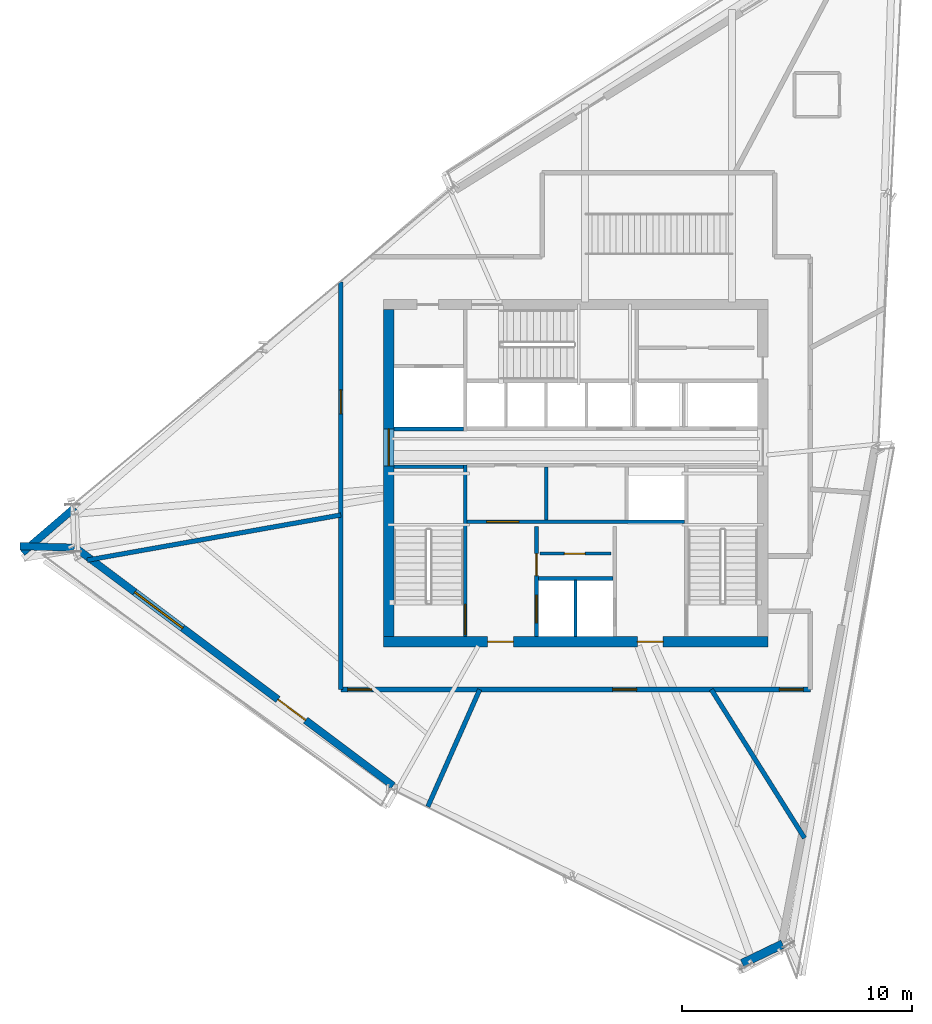
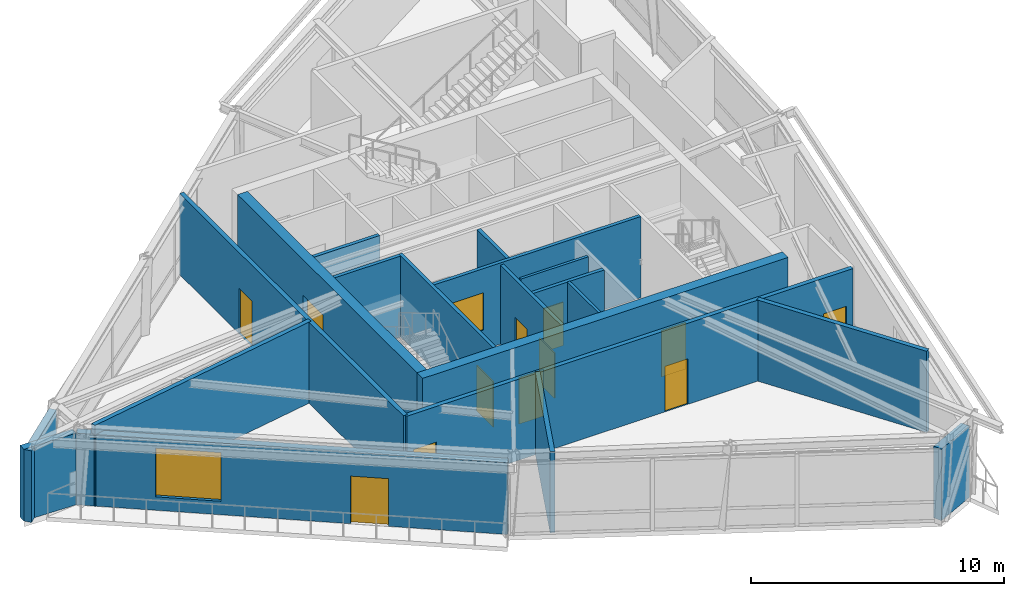
# One storey, part 16 of 21: 20 walls, 12 doors, 2 windows, 14 openings.
"""IFC4 building model written with IfcOpenShell, lengths in metres."""

from ifc_helpers import new_model, si_unit, direction, frame, frame_2d, origin, place, context, subcontext, project, spatial, rectangle, extrude, source, transform, mapped, material, layer, layer_set, type_object, type_shapes, element, fill, save


model = new_model("IFC4")

# Units and contexts
model_context = context("Model", 3, precision=1e-05, world=origin(), true_north=direction((0.0, 1.0)))
body_context = subcontext(model_context, "Body", "Model", "MODEL_VIEW")
ifc_project = project(units=[si_unit("LENGTHUNIT", "METRE"), si_unit("AREAUNIT", "SQUARE_METRE"), si_unit("VOLUMEUNIT", "CUBIC_METRE"), si_unit("PLANEANGLEUNIT", "RADIAN"), si_unit("MASSUNIT", "GRAM", prefix="KILO")], contexts=[model_context])

# Site, building, storey
site_placement = place(None, origin())
site = spatial("IfcSite", under=ifc_project, at=site_placement, CompositionType="ELEMENT")
building_placement = place(site_placement, origin())
building = spatial("IfcBuilding", under=site, at=building_placement, Name="Olszyna Solenne Hotel", CompositionType="ELEMENT")
storey_placement = place(building_placement, frame((0.0, 0.0, 277.699951171875)))
storey = spatial("IfcBuildingStorey", under=building, at=storey_placement, Name="L74", CompositionType="ELEMENT", Elevation=277.699951171875)

# Wall, openings, doors
ifc_material_1 = material(Name="Concrete C50/60", Category="concrete")
ifc_layer_1 = layer(ifc_material_1, 0.449951171875, Name="Concrete C50/60")
ifc_layer_set_1 = layer_set([ifc_layer_1], Name="Concrete C50/60")
wall_type_1 = type_object("IfcWallType", Name="WL-CR450", PredefinedType="SHEAR", material=ifc_layer_set_1)
wall_1_placement = place(storey_placement, frame((46.35009765625, 19.27490234375, 0.0), z_axis=(0.0, 0.0, 1.0), x_axis=(-1.0, 0.0, 0.0)))
wall_1 = element("IfcWall", 1, at=wall_1_placement, inside=storey, type_object=wall_type_1, Name="Core shear wall WL-CR450 CRW-L74-S", PredefinedType="SHEAR", context=body_context, shape_type="SweptSolid", body=[
    extrude(rectangle(XDim=16.7001953125, YDim=0.449951171875, at=frame_2d((8.35009765625, 0.0))), origin(), (0.0, 0.0, 1.0), 3.920166015625),
])
opening_1_placement = place(wall_1_placement, frame((4.550048828125, 0.0, 0.0)))
opening_1 = element("IfcOpeningElement", 2, at=opening_1_placement, cuts=wall_1, Name="Opening FL-L74-1", PredefinedType="OPENING", context=body_context, shape_type="SweptSolid", body=[
    extrude(rectangle(XDim=1.1201171875, YDim=2.25, at=frame_2d((0.56005859375, 1.125))), frame((0.0, 0.23486328125, 0.0), z_axis=(0.0, -1.0, 0.0), x_axis=(1.0, 0.0, 0.0)), (0.0, 0.0, 1.0), 0.469970703125),
])
opening_2_placement = place(wall_1_placement, frame((11.050048828125, 0.0, 0.0)))
opening_2 = element("IfcOpeningElement", 3, at=opening_2_placement, cuts=wall_1, Name="Opening FL-L74-2", PredefinedType="OPENING", context=body_context, shape_type="SweptSolid", body=[
    extrude(rectangle(XDim=1.1201171875, YDim=2.25, at=frame_2d((0.56005859375, 1.125))), frame((0.0, 0.23486328125, 0.0), z_axis=(0.0, -1.0, 0.0), x_axis=(1.0, 0.0, 0.0)), (0.0, 0.0, 1.0), 0.469970703125),
])
ifc_material_2 = material(Name="Steel S355J2", Category="steel")
door_type_1 = type_object("IfcDoorType", Name="DR-FL1", OperationType="NOTDEFINED", PredefinedType="DOOR", material=ifc_material_2)
shared_shape_1 = source(origin(), body_context, "Body", "SweptSolid", [
    extrude(rectangle(XDim=1.1201171875, YDim=2.25, at=frame_2d((0.56005859375, 1.125))), frame((0.0, 0.02490234375, 0.0), z_axis=(0.0, -1.0, 0.0), x_axis=(1.0, 0.0, 0.0)), (0.0, 0.0, 1.0), 0.050048828125),
])
type_shapes(door_type_1, [shared_shape_1])
door_1_placement = place(opening_1_placement, origin())
door_1 = element("IfcDoor", 4, at=door_1_placement, inside=storey, type_object=door_type_1, Name="Firefighting lift lobby smoke door FL-L74-1", OperationType="SINGLE_SWING_LEFT", OverallHeight=2.25, OverallWidth=1.1201171875, PredefinedType="DOOR", context=body_context, shape_type="MappedRepresentation", body=[
    mapped(shared_shape_1, transform((0.0, 0.0, 0.0), x_axis=(1.0, 0.0, 0.0), y_axis=(0.0, 1.0, 0.0), z_axis=(0.0, 0.0, 1.0), scale=1.0)),
])
fill(opening_1, door_1)
door_2_placement = place(opening_2_placement, origin())
door_2 = element("IfcDoor", 5, at=door_2_placement, inside=storey, type_object=door_type_1, Name="Firefighting lift lobby smoke door FL-L74-2", OperationType="SINGLE_SWING_RIGHT", OverallHeight=2.25, OverallWidth=1.1201171875, PredefinedType="DOOR", context=body_context, shape_type="MappedRepresentation", body=[
    mapped(shared_shape_1, transform((0.0, 0.0, 0.0), x_axis=(1.0, 0.0, 0.0), y_axis=(0.0, 1.0, 0.0), z_axis=(0.0, 0.0, 1.0), scale=1.0)),
])
fill(opening_2, door_2)

# Wall, opening, door
wall_2_placement = place(storey_placement, frame((29.875, 19.5, 0.0), z_axis=(0.0, 0.0, 1.0), x_axis=(0.0, 1.0, 0.0)))
wall_2 = element("IfcWall", 6, at=wall_2_placement, inside=storey, type_object=wall_type_1, Name="Core shear wall WL-CR450 CRW-L74-W", PredefinedType="SHEAR", context=body_context, shape_type="SweptSolid", body=[
    extrude(rectangle(XDim=14.199951171875, YDim=0.449951171875, at=frame_2d((7.10009765625, 0.0))), origin(), (0.0, 0.0, 1.0), 3.920166015625),
])
opening_3_placement = place(wall_2_placement, frame((7.419921875, 0.0, 0.0)))
opening_3 = element("IfcOpeningElement", 7, at=opening_3_placement, cuts=wall_2, Name="Opening LHD-L74-W", PredefinedType="OPENING", context=body_context, shape_type="SweptSolid", body=[
    extrude(rectangle(XDim=1.60009765625, YDim=2.199951171875, at=frame_2d((0.800048828125, 1.10009765625))), frame((0.0, 0.23486328125, 0.0), z_axis=(0.0, -1.0, 0.0), x_axis=(1.0, 0.0, 0.0)), (0.0, 0.0, 1.0), 0.469970703125),
])
ifc_material_3 = material(Name="Timber hardwood", Category="wood")
door_type_2 = type_object("IfcDoorType", Name="DR-CR1", OperationType="DOUBLE_DOOR_SINGLE_SWING", PredefinedType="DOOR", material=ifc_material_3)
shared_shape_2 = source(origin(), body_context, "Body", "SweptSolid", [
    extrude(rectangle(XDim=1.60009765625, YDim=2.199951171875, at=frame_2d((0.800048828125, 1.10009765625))), frame((0.0, 0.02490234375, 0.0), z_axis=(0.0, -1.0, 0.0), x_axis=(1.0, 0.0, 0.0)), (0.0, 0.0, 1.0), 0.050048828125),
])
type_shapes(door_type_2, [shared_shape_2])
door_3_placement = place(opening_3_placement, origin())
door_3 = element("IfcDoor", 8, at=door_3_placement, inside=storey, type_object=door_type_2, Name="Passenger lift lobby West fire door LHD-L74-W", OperationType="DOUBLE_DOOR_SINGLE_SWING", OverallHeight=2.199951171875, OverallWidth=1.60009765625, PredefinedType="DOOR", context=body_context, shape_type="MappedRepresentation", body=[
    mapped(shared_shape_2, transform((0.0, 0.0, 0.0), x_axis=(1.0, 0.0, 0.0), y_axis=(0.0, 1.0, 0.0), z_axis=(0.0, 0.0, 1.0), scale=1.0)),
])
fill(opening_3, door_3)

# Wall, openings, door, window
ifc_material_4 = material(Name="Precast concrete C45/55", Category="concrete")
ifc_layer_2 = layer(ifc_material_4, 0.320068359375, Name="Precast concrete C45/55")
ifc_layer_set_2 = layer_set([ifc_layer_2], Name="Precast concrete C45/55")
wall_type_2 = type_object("IfcWallType", Name="WL-EX320", PredefinedType="SOLIDWALL", material=ifc_layer_set_2)
wall_3_placement = place(storey_placement, frame((30.072509765625, 13.017333984375, 0.0), z_axis=(0.0, 0.0, 1.0), x_axis=(-0.800180538876, 0.599759206018, 0.0)))
wall_3 = element("IfcWall", 9, at=wall_3_placement, inside=storey, type_object=wall_type_2, Name="Exterior terracotta-precast frame wall WL-EX320 EW-L74-04", PredefinedType="SOLIDWALL", context=body_context, shape_type="SweptSolid", body=[
    extrude(rectangle(XDim=17.19775390625, YDim=0.320068359375, at=frame_2d((8.598876953125, 0.0))), origin(), (0.0, 0.0, 1.0), 3.462158203125),
])
opening_4_placement = place(wall_3_placement, frame((4.7529296875, 0.0, 0.0)))
opening_4 = element("IfcOpeningElement", 10, at=opening_4_placement, cuts=wall_3, Name="Opening LDG-L74-2", PredefinedType="OPENING", context=body_context, shape_type="SweptSolid", body=[
    extrude(rectangle(XDim=1.5, YDim=2.300048828125, at=frame_2d((0.75, 1.14990234375))), frame((0.0, 0.169921875, 0.0), z_axis=(0.0, -1.0, 0.0), x_axis=(1.0, 0.0, 0.0)), (0.0, 0.0, 1.0), 0.340087890625),
])
opening_5_placement = place(wall_3_placement, frame((11.426025390625, 0.0, 0.64990234375)))
opening_5 = element("IfcOpeningElement", 11, at=opening_5_placement, cuts=wall_3, Name="Opening WN-L74-495", PredefinedType="OPENING", context=body_context, shape_type="SweptSolid", body=[
    extrude(rectangle(XDim=2.60009765625, YDim=2.35009765625, at=frame_2d((1.300048828125, 1.175048828125))), frame((0.0, 0.169921875, 0.0), z_axis=(0.0, -1.0, 0.0), x_axis=(1.0, 0.0, 0.0)), (0.0, 0.0, 1.0), 0.340087890625),
])
ifc_material_5 = material(Name="Anodised bronze aluminium", Category="aluminium")
door_type_3 = type_object("IfcDoorType", Name="DR-LG2", OperationType="DOUBLE_DOOR_SINGLE_SWING", PredefinedType="DOOR", material=ifc_material_5)
shared_shape_3 = source(origin(), body_context, "Body", "SweptSolid", [
    extrude(rectangle(XDim=1.5, YDim=2.300048828125, at=frame_2d((0.75, 1.14990234375))), frame((0.0, 0.02490234375, 0.0), z_axis=(0.0, -1.0, 0.0), x_axis=(1.0, 0.0, 0.0)), (0.0, 0.0, 1.0), 0.050048828125),
])
type_shapes(door_type_3, [shared_shape_3])
door_4_placement = place(opening_4_placement, origin())
door_4 = element("IfcDoor", 12, at=door_4_placement, inside=storey, type_object=door_type_3, Name="Exterior loggia balcony door DR-LG2 LDG-L74-2", OperationType="DOUBLE_DOOR_SINGLE_SWING", OverallHeight=2.300048828125, OverallWidth=1.5, PredefinedType="DOOR", context=body_context, shape_type="MappedRepresentation", body=[
    mapped(shared_shape_3, transform((0.0, 0.0, 0.0), x_axis=(1.0, 0.0, 0.0), y_axis=(0.0, 1.0, 0.0), z_axis=(0.0, 0.0, 1.0), scale=1.0)),
])
fill(opening_4, door_4)
ifc_material_6 = material(Name="Low-E triple glazing", Category="glass")
window_type_1 = type_object("IfcWindowType", Name="WN-ST1", PartitioningType="SINGLE_PANEL", PredefinedType="WINDOW", material=ifc_material_6)
shared_shape_4 = source(origin(), body_context, "Body", "SweptSolid", [
    extrude(rectangle(XDim=2.60009765625, YDim=2.35009765625, at=frame_2d((1.300048828125, 1.175048828125))), frame((0.0, 0.030029296875, 0.0), z_axis=(0.0, -1.0, 0.0), x_axis=(1.0, 0.0, 0.0)), (0.0, 0.0, 1.0), 0.06005859375),
])
type_shapes(window_type_1, [shared_shape_4])
window_1_placement = place(opening_5_placement, origin())
window_1 = element("IfcWindow", 13, at=window_1_placement, inside=storey, type_object=window_type_1, Name="Loggia room window WN-ST1 WN-L74-495", OverallHeight=2.35009765625, OverallWidth=2.60009765625, PartitioningType="SINGLE_PANEL", PredefinedType="WINDOW", context=body_context, shape_type="MappedRepresentation", body=[
    mapped(shared_shape_4, transform((0.0, 0.0, 0.0), x_axis=(1.0, 0.0, 0.0), y_axis=(0.0, 1.0, 0.0), z_axis=(0.0, 0.0, 1.0), scale=1.0)),
])
fill(opening_5, window_1)

# Walls
wall_4_placement = place(storey_placement, frame((16.219482421875, 23.36376953125, 0.0), z_axis=(0.0, 0.0, 1.0), x_axis=(-0.999633757941, 0.027061965649, 0.0)))
element("IfcWall", 14, at=wall_4_placement, inside=storey, type_object=wall_type_2, Name="Exterior terracotta-precast frame wall WL-EX320 EW-L74-05", PredefinedType="SOLIDWALL", context=body_context, shape_type="SweptSolid", body=[
    extrude(rectangle(XDim=2.354736328125, YDim=0.320068359375, at=frame_2d((1.17724609375, 0.0))), origin(), (0.0, 0.0, 1.0), 3.462158203125),
])
wall_5_placement = place(storey_placement, frame((13.9658203125, 23.146240234375, 0.0), z_axis=(0.0, 0.0, 1.0), x_axis=(0.758861199742, 0.651252393106, 0.0)))
element("IfcWall", 15, at=wall_5_placement, inside=storey, type_object=wall_type_2, Name="Exterior terracotta-precast frame wall WL-EX320 EW-L74-06", PredefinedType="SOLIDWALL", context=body_context, shape_type="SweptSolid", body=[
    extrude(rectangle(XDim=3.00830078125, YDim=0.320068359375, at=frame_2d((1.504150390625, 0.0))), origin(), (0.0, 0.0, 1.0), 3.462158203125),
])
ifc_material_7 = material(Name="Terracotta cladding on precast concrete C45/55", Category="masonry")
ifc_layer_3 = layer(ifc_material_7, 0.3798828125, Name="Terracotta cladding on precast concrete C45/55")
ifc_layer_set_3 = layer_set([ifc_layer_3], Name="Terracotta cladding on precast concrete C45/55")
wall_type_3 = type_object("IfcWallType", Name="WL-EX380", PredefinedType="SOLIDWALL", material=ifc_layer_set_3)
wall_6_placement = place(storey_placement, frame((46.99560546875, 6.14013671875, 0.0), z_axis=(0.0, 0.0, 1.0), x_axis=(-0.901133930153, -0.43354081691, 0.0)))
element("IfcWall", 16, at=wall_6_placement, inside=storey, type_object=wall_type_3, Name="Exterior terracotta-precast frame wall WL-EX380 EW-L74-02", PredefinedType="SOLIDWALL", context=body_context, shape_type="SweptSolid", body=[
    extrude(rectangle(XDim=1.9501953125, YDim=0.3798828125, at=frame_2d((0.97509765625, 0.0))), origin(), (0.0, 0.0, 1.0), 3.462158203125),
])
ifc_material_8 = material(Name="Acoustic gypsum partition", Category="gypsum")
ifc_layer_4 = layer(ifc_material_8, 0.125, Name="Acoustic gypsum partition")
ifc_layer_set_4 = layer_set([ifc_layer_4], Name="Acoustic gypsum partition")
wall_type_4 = type_object("IfcWallType", Name="WL-PT125", PredefinedType="PARTITIONING", material=ifc_layer_set_4)
wall_7_placement = place(storey_placement, frame((38.0, 19.5, 0.0), z_axis=(0.0, 0.0, 1.0), x_axis=(0.0, 1.0, 0.0)))
element("IfcWall", 17, at=wall_7_placement, inside=storey, type_object=wall_type_4, Name="Core shaft compartment wall CW-L74-FFM", PredefinedType="PARTITIONING", context=body_context, shape_type="SweptSolid", body=[
    extrude(rectangle(XDim=2.4599609375, YDim=0.125, at=frame_2d((1.22998046875, 0.0))), origin(), (0.0, 0.0, 1.0), 3.920166015625),
])

# Wall, opening, door
wall_8_placement = place(storey_placement, frame((36.4599609375, 23.10205078125, 0.0), z_axis=(0.0, 0.0, 1.0), x_axis=(1.0, 0.0, 0.0)))
wall_8 = element("IfcWall", 18, at=wall_8_placement, inside=storey, type_object=wall_type_4, Name="Core shaft compartment wall CW-L74-SC2", PredefinedType="PARTITIONING", context=body_context, shape_type="SweptSolid", body=[
    extrude(rectangle(XDim=3.080078125, YDim=0.125, at=frame_2d((1.5400390625, 0.0))), origin(), (0.0, 0.0, 1.0), 3.920166015625),
])
opening_6_placement = place(wall_8_placement, frame((1.050048828125, 0.0, 0.0)))
opening_6 = element("IfcOpeningElement", 19, at=opening_6_placement, cuts=wall_8, Name="Opening SVD-L74-SC2", PredefinedType="OPENING", context=body_context, shape_type="SweptSolid", body=[
    extrude(rectangle(XDim=0.89990234375, YDim=2.10009765625, at=frame_2d((0.449951171875, 1.050048828125))), frame((0.0, 0.072509765625, 0.0), z_axis=(0.0, -1.0, 0.0), x_axis=(1.0, 0.0, 0.0)), (0.0, 0.0, 1.0), 0.14501953125),
])
door_type_4 = type_object("IfcDoorType", Name="DR-WC1", OperationType="NOTDEFINED", PredefinedType="DOOR", material=ifc_material_3)
shared_shape_5 = source(origin(), body_context, "Body", "SweptSolid", [
    extrude(rectangle(XDim=0.89990234375, YDim=2.10009765625, at=frame_2d((0.449951171875, 1.050048828125))), frame((0.0, 0.02490234375, 0.0), z_axis=(0.0, -1.0, 0.0), x_axis=(1.0, 0.0, 0.0)), (0.0, 0.0, 1.0), 0.050048828125),
])
type_shapes(door_type_4, [shared_shape_5])
door_5_placement = place(opening_6_placement, origin())
door_5 = element("IfcDoor", 20, at=door_5_placement, inside=storey, type_object=door_type_4, Name="Butler pantry door SVD-L74-SC2", OperationType="SINGLE_SWING_RIGHT", OverallHeight=2.10009765625, OverallWidth=0.89990234375, PredefinedType="DOOR", context=body_context, shape_type="MappedRepresentation", body=[
    mapped(shared_shape_5, transform((0.0, 0.0, 0.0), x_axis=(1.0, 0.0, 0.0), y_axis=(0.0, 1.0, 0.0), z_axis=(0.0, 0.0, 1.0), scale=1.0)),
])
fill(opening_6, door_5)

ifc_layer_5 = layer(ifc_material_8, 0.159912109375, Name="Acoustic gypsum partition")
ifc_layer_set_5 = layer_set([ifc_layer_5], Name="Acoustic gypsum partition")
wall_type_5 = type_object("IfcWallType", Name="WL-PT160", PredefinedType="PARTITIONING", material=ifc_layer_set_5)
wall_9_placement = place(storey_placement, frame((33.199951171875, 19.5, 0.0), z_axis=(0.0, 0.0, 1.0), x_axis=(0.0, 1.0, 0.0)))
wall_9 = element("IfcWall", 21, at=wall_9_placement, inside=storey, type_object=wall_type_5, Name="Core shaft compartment wall CW-L74-ST1E", PredefinedType="PARTITIONING", context=body_context, shape_type="SweptSolid", body=[
    extrude(rectangle(XDim=7.4599609375, YDim=0.159912109375, at=frame_2d((3.72998046875, 0.0))), origin(), (0.0, 0.0, 1.0), 3.920166015625),
])
opening_7_placement = place(wall_9_placement, frame((0.080078125, 0.0, 0.0)))
opening_7 = element("IfcOpeningElement", 22, at=opening_7_placement, cuts=wall_9, Name="Opening STD-L74-01", PredefinedType="OPENING", context=body_context, shape_type="SweptSolid", body=[
    extrude(rectangle(XDim=1.320068359375, YDim=2.199951171875, at=frame_2d((0.66015625, 1.10009765625))), frame((0.0, 0.08984375, 0.0), z_axis=(0.0, -1.0, 0.0), x_axis=(1.0, 0.0, 0.0)), (0.0, 0.0, 1.0), 0.179931640625),
])
door_type_5 = type_object("IfcDoorType", Name="DR-ST1", OperationType="NOTDEFINED", PredefinedType="DOOR", material=ifc_material_2)
shared_shape_6 = source(origin(), body_context, "Body", "SweptSolid", [
    extrude(rectangle(XDim=1.320068359375, YDim=2.199951171875, at=frame_2d((0.66015625, 1.10009765625))), frame((0.0, 0.02490234375, 0.0), z_axis=(0.0, -1.0, 0.0), x_axis=(1.0, 0.0, 0.0)), (0.0, 0.0, 1.0), 0.050048828125),
])
type_shapes(door_type_5, [shared_shape_6])
door_6_placement = place(opening_7_placement, origin())
door_6 = element("IfcDoor", 23, at=door_6_placement, inside=storey, type_object=door_type_5, Name="Pressurised exit stair ST1 fire door STD-L74-01", OperationType="SINGLE_SWING_LEFT", OverallHeight=2.199951171875, OverallWidth=1.320068359375, PredefinedType="DOOR", context=body_context, shape_type="MappedRepresentation", body=[
    mapped(shared_shape_6, transform((0.0, 0.0, 0.0), x_axis=(1.0, 0.0, 0.0), y_axis=(0.0, 1.0, 0.0), z_axis=(0.0, 0.0, 1.0), scale=1.0)),
])
fill(opening_7, door_6)

# Wall
wall_10_placement = place(storey_placement, frame((30.10009765625, 26.8798828125, 0.0), z_axis=(0.0, 0.0, 1.0), x_axis=(1.0, 0.0, 0.0)))
element("IfcWall", 24, at=wall_10_placement, inside=storey, type_object=wall_type_5, Name="Core shaft compartment wall CW-L74-ST1N", PredefinedType="PARTITIONING", context=body_context, shape_type="SweptSolid", body=[
    extrude(rectangle(XDim=3.02001953125, YDim=0.159912109375, at=frame_2d((1.510009765625, 0.0))), origin(), (0.0, 0.0, 1.0), 3.920166015625),
])

# Wall, openings, doors
wall_11_placement = place(storey_placement, frame((36.300048828125, 19.5, 0.0), z_axis=(0.0, 0.0, 1.0), x_axis=(0.0, 1.0, 0.0)))
wall_11 = element("IfcWall", 25, at=wall_11_placement, inside=storey, type_object=wall_type_5, Name="Core shaft compartment wall CW-L74-FF1W", PredefinedType="PARTITIONING", context=body_context, shape_type="SweptSolid", body=[
    extrude(rectangle(XDim=4.780029296875, YDim=0.159912109375, at=frame_2d((2.39013671875, 0.0))), origin(), (0.0, 0.0, 1.0), 3.920166015625),
])
opening_8_placement = place(wall_11_placement, frame((0.60009765625, 0.0, 0.0)))
opening_8 = element("IfcOpeningElement", 26, at=opening_8_placement, cuts=wall_11, Name="Opening LD-L74-FF1", PredefinedType="OPENING", context=body_context, shape_type="SweptSolid", body=[
    extrude(rectangle(XDim=1.199951171875, YDim=2.199951171875, at=frame_2d((0.60009765625, 1.10009765625))), frame((0.0, 0.08984375, 0.0), z_axis=(0.0, -1.0, 0.0), x_axis=(1.0, 0.0, 0.0)), (0.0, 0.0, 1.0), 0.179931640625),
])
opening_9_placement = place(wall_11_placement, frame((2.64990234375, 0.0, 0.0)))
opening_9 = element("IfcOpeningElement", 27, at=opening_9_placement, cuts=wall_11, Name="Opening SVD-L74-SMK", PredefinedType="OPENING", context=body_context, shape_type="SweptSolid", body=[
    extrude(rectangle(XDim=0.949951171875, YDim=2.10009765625, at=frame_2d((0.47509765625, 1.050048828125))), frame((0.0, 0.08984375, 0.0), z_axis=(0.0, -1.0, 0.0), x_axis=(1.0, 0.0, 0.0)), (0.0, 0.0, 1.0), 0.179931640625),
])
door_type_6 = type_object("IfcDoorType", Name="DR-SV1", OperationType="NOTDEFINED", PredefinedType="DOOR", material=ifc_material_2)
shared_shape_7 = source(origin(), body_context, "Body", "SweptSolid", [
    extrude(rectangle(XDim=0.949951171875, YDim=2.10009765625, at=frame_2d((0.47509765625, 1.050048828125))), frame((0.0, 0.02490234375, 0.0), z_axis=(0.0, -1.0, 0.0), x_axis=(1.0, 0.0, 0.0)), (0.0, 0.0, 1.0), 0.050048828125),
])
type_shapes(door_type_6, [shared_shape_7])
door_7_placement = place(opening_9_placement, origin())
door_7 = element("IfcDoor", 28, at=door_7_placement, inside=storey, type_object=door_type_6, Name="Valet and core service room door SVD-L74-SMK", OperationType="SINGLE_SWING_LEFT", OverallHeight=2.10009765625, OverallWidth=0.949951171875, PredefinedType="DOOR", context=body_context, shape_type="MappedRepresentation", body=[
    mapped(shared_shape_7, transform((0.0, 0.0, 0.0), x_axis=(1.0, 0.0, 0.0), y_axis=(0.0, 1.0, 0.0), z_axis=(0.0, 0.0, 1.0), scale=1.0)),
])
fill(opening_9, door_7)
door_type_7 = type_object("IfcDoorType", Name="LD-FF1", OperationType="DOUBLE_DOOR_SLIDING", PredefinedType="DOOR", material=ifc_material_2)
shared_shape_8 = source(origin(), body_context, "Body", "SweptSolid", [
    extrude(rectangle(XDim=1.199951171875, YDim=2.199951171875, at=frame_2d((0.60009765625, 1.10009765625))), frame((0.0, 0.02490234375, 0.0), z_axis=(0.0, -1.0, 0.0), x_axis=(1.0, 0.0, 0.0)), (0.0, 0.0, 1.0), 0.050048828125),
])
type_shapes(door_type_7, [shared_shape_8])
door_8_placement = place(opening_8_placement, origin())
door_8 = element("IfcDoor", 29, at=door_8_placement, inside=storey, type_object=door_type_7, Name="Firefighters lift FF1 sliding landing door LD-L74-FF1", OperationType="DOUBLE_DOOR_SLIDING", OverallHeight=2.199951171875, OverallWidth=1.199951171875, PredefinedType="DOOR", context=body_context, shape_type="MappedRepresentation", body=[
    mapped(shared_shape_8, transform((0.0, 0.0, 0.0), x_axis=(1.0, 0.0, 0.0), y_axis=(0.0, 1.0, 0.0), z_axis=(0.0, 0.0, 1.0), scale=1.0)),
])
fill(opening_8, door_8)

# Wall
wall_12_placement = place(storey_placement, frame((36.3798828125, 22.02001953125, 0.0), z_axis=(0.0, 0.0, 1.0), x_axis=(1.0, 0.0, 0.0)))
element("IfcWall", 30, at=wall_12_placement, inside=storey, type_object=wall_type_5, Name="Core shaft compartment wall CW-L74-FFN", PredefinedType="PARTITIONING", context=body_context, shape_type="SweptSolid", body=[
    extrude(rectangle(XDim=3.240234375, YDim=0.159912109375, at=frame_2d((1.6201171875, 0.0))), origin(), (0.0, 0.0, 1.0), 3.920166015625),
])

# Wall, opening, window
wall_13_placement = place(storey_placement, frame((33.280029296875, 24.489990234375, 0.0), z_axis=(0.0, 0.0, 1.0), x_axis=(1.0, 0.0, 0.0)))
wall_13 = element("IfcWall", 31, at=wall_13_placement, inside=storey, type_object=wall_type_5, Name="Core shaft compartment wall CW-L74-FFBN", PredefinedType="PARTITIONING", context=body_context, shape_type="SweptSolid", body=[
    extrude(rectangle(XDim=9.43994140625, YDim=0.159912109375, at=frame_2d((4.719970703125, 0.0))), origin(), (0.0, 0.0, 1.0), 3.920166015625),
])
opening_10_placement = place(wall_13_placement, frame((0.85009765625, 0.0, 0.949951171875)))
opening_10 = element("IfcOpeningElement", 32, at=opening_10_placement, cuts=wall_13, Name="Opening WNI-L74-01", PredefinedType="OPENING", context=body_context, shape_type="SweptSolid", body=[
    extrude(rectangle(XDim=1.39990234375, YDim=1.800048828125, at=frame_2d((0.699951171875, 0.89990234375))), frame((0.0, 0.08984375, 0.0), z_axis=(0.0, -1.0, 0.0), x_axis=(1.0, 0.0, 0.0)), (0.0, 0.0, 1.0), 0.179931640625),
])
window_type_2 = type_object("IfcWindowType", Name="WN-IN1", PartitioningType="SINGLE_PANEL", PredefinedType="WINDOW", material=ifc_material_6)
shared_shape_9 = source(origin(), body_context, "Body", "SweptSolid", [
    extrude(rectangle(XDim=1.39990234375, YDim=1.800048828125, at=frame_2d((0.699951171875, 0.89990234375))), frame((0.0, 0.030029296875, 0.0), z_axis=(0.0, -1.0, 0.0), x_axis=(1.0, 0.0, 0.0)), (0.0, 0.0, 1.0), 0.06005859375),
])
type_shapes(window_type_2, [shared_shape_9])
window_2_placement = place(opening_10_placement, origin())
window_2 = element("IfcWindow", 33, at=window_2_placement, inside=storey, type_object=window_type_2, Name="Borrowed-light acoustic screen window WNI-L74-01", OverallHeight=1.800048828125, OverallWidth=1.39990234375, PartitioningType="SINGLE_PANEL", PredefinedType="WINDOW", context=body_context, shape_type="MappedRepresentation", body=[
    mapped(shared_shape_9, transform((0.0, 0.0, 0.0), x_axis=(1.0, 0.0, 0.0), y_axis=(0.0, 1.0, 0.0), z_axis=(0.0, 0.0, 1.0), scale=1.0)),
])
fill(opening_10, window_2)

# Walls
wall_14_placement = place(storey_placement, frame((30.10009765625, 28.52001953125, 0.0), z_axis=(0.0, 0.0, 1.0), x_axis=(1.0, 0.0, 0.0)))
element("IfcWall", 34, at=wall_14_placement, inside=storey, type_object=wall_type_5, Name="Core shaft compartment wall CW-L74-SV1S", PredefinedType="PARTITIONING", context=body_context, shape_type="SweptSolid", body=[
    extrude(rectangle(XDim=3.02001953125, YDim=0.159912109375, at=frame_2d((1.510009765625, 0.0))), origin(), (0.0, 0.0, 1.0), 3.920166015625),
])
wall_15_placement = place(storey_placement, frame((36.72998046875, 24.56005859375, 0.0), z_axis=(0.0, 0.0, 1.0), x_axis=(0.0, 1.0, 0.0)))
element("IfcWall", 35, at=wall_15_placement, inside=storey, type_object=wall_type_5, Name="Core shaft compartment wall CW-L74-LV7DIV1", PredefinedType="PARTITIONING", context=body_context, shape_type="SweptSolid", body=[
    extrude(rectangle(XDim=2.31005859375, YDim=0.159912109375, at=frame_2d((1.155029296875, 0.0))), origin(), (0.0, 0.0, 1.0), 3.920166015625),
])
ifc_layer_6 = layer(ifc_material_8, 0.199951171875, Name="Acoustic gypsum partition")
ifc_layer_set_6 = layer_set([ifc_layer_6], Name="Acoustic gypsum partition")
wall_type_6 = type_object("IfcWallType", Name="WL-PT200", PredefinedType="PARTITIONING", material=ifc_layer_set_6)
wall_16_placement = place(storey_placement, frame((27.800048828125, 24.783203125, 0.0), z_axis=(0.0, 0.0, 1.0), x_axis=(-0.98449973, -0.175386093036, 0.0)))
element("IfcWall", 36, at=wall_16_placement, inside=storey, type_object=wall_type_6, Name="Interior acoustic partition WL-PT200 PW-L74-4053", PredefinedType="PARTITIONING", context=body_context, shape_type="SweptSolid", body=[
    extrude(rectangle(XDim=11.196044921875, YDim=0.199951171875, at=frame_2d((5.59814453125, 0.0))), origin(), (0.0, 0.0, 1.0), 3.920166015625),
])
wall_17_placement = place(storey_placement, frame((33.83447265625, 17.199951171875, 0.0), z_axis=(0.0, 0.0, 1.0), x_axis=(-0.405145139192, -0.914252381014, 0.0)))
element("IfcWall", 37, at=wall_17_placement, inside=storey, type_object=wall_type_6, Name="Interior acoustic partition WL-PT200 PW-L74-4054", PredefinedType="PARTITIONING", context=body_context, shape_type="SweptSolid", body=[
    extrude(rectangle(XDim=5.565673828125, YDim=0.199951171875, at=frame_2d((2.78271484375, 0.0))), origin(), (0.0, 0.0, 1.0), 3.920166015625),
])
wall_18_placement = place(storey_placement, frame((43.896484375, 17.199951171875, 0.0), z_axis=(0.0, 0.0, 1.0), x_axis=(0.531409475287, -0.847115086382, 0.0)))
element("IfcWall", 38, at=wall_18_placement, inside=storey, type_object=wall_type_6, Name="Interior acoustic partition WL-PT200 PW-L74-4055", PredefinedType="PARTITIONING", context=body_context, shape_type="SweptSolid", body=[
    extrude(rectangle(XDim=7.619384765625, YDim=0.199951171875, at=frame_2d((3.8095703125, 0.0))), origin(), (0.0, 0.0, 1.0), 3.920166015625),
])

# Wall, openings, doors
wall_19_placement = place(storey_placement, frame((27.800048828125, 17.199951171875, 0.0), z_axis=(0.0, 0.0, 1.0), x_axis=(1.0, 0.0, 0.0)))
wall_19 = element("IfcWall", 39, at=wall_19_placement, inside=storey, type_object=wall_type_6, Name="Interior acoustic partition WL-PT200 PW-L74-4062", PredefinedType="PARTITIONING", context=body_context, shape_type="SweptSolid", body=[
    extrude(rectangle(XDim=20.39990234375, YDim=0.199951171875, at=frame_2d((10.199951171875, 0.0))), origin(), (0.0, 0.0, 1.0), 3.920166015625),
])
opening_11_placement = place(wall_19_placement, frame((0.300048828125, 0.0, 0.0)))
opening_11 = element("IfcOpeningElement", 40, at=opening_11_placement, cuts=wall_19, Name="Opening DR-L74-0981", PredefinedType="OPENING", context=body_context, shape_type="SweptSolid", body=[
    extrude(rectangle(XDim=1.050048828125, YDim=2.199951171875, at=frame_2d((0.52490234375, 1.10009765625))), frame((0.0, 0.10986328125, 0.0), z_axis=(0.0, -1.0, 0.0), x_axis=(1.0, 0.0, 0.0)), (0.0, 0.0, 1.0), 0.219970703125),
])
opening_12_placement = place(wall_19_placement, frame((11.804931640625, 0.0, 0.0)))
opening_12 = element("IfcOpeningElement", 41, at=opening_12_placement, cuts=wall_19, Name="Opening DR-L74-0982", PredefinedType="OPENING", context=body_context, shape_type="SweptSolid", body=[
    extrude(rectangle(XDim=1.050048828125, YDim=2.199951171875, at=frame_2d((0.52490234375, 1.10009765625))), frame((0.0, 0.10986328125, 0.0), z_axis=(0.0, -1.0, 0.0), x_axis=(1.0, 0.0, 0.0)), (0.0, 0.0, 1.0), 0.219970703125),
])
opening_13_placement = place(wall_19_placement, frame((19.050048828125, 0.0, 0.0)))
opening_13 = element("IfcOpeningElement", 42, at=opening_13_placement, cuts=wall_19, Name="Opening DR-L74-0983", PredefinedType="OPENING", context=body_context, shape_type="SweptSolid", body=[
    extrude(rectangle(XDim=1.050048828125, YDim=2.199951171875, at=frame_2d((0.52490234375, 1.10009765625))), frame((0.0, 0.10986328125, 0.0), z_axis=(0.0, -1.0, 0.0), x_axis=(1.0, 0.0, 0.0)), (0.0, 0.0, 1.0), 0.219970703125),
])
door_type_8 = type_object("IfcDoorType", Name="DR-RM2", OperationType="NOTDEFINED", PredefinedType="DOOR", material=ifc_material_3)
shared_shape_10 = source(origin(), body_context, "Body", "SweptSolid", [
    extrude(rectangle(XDim=1.050048828125, YDim=2.199951171875, at=frame_2d((0.52490234375, 1.10009765625))), frame((0.0, 0.02490234375, 0.0), z_axis=(0.0, -1.0, 0.0), x_axis=(1.0, 0.0, 0.0)), (0.0, 0.0, 1.0), 0.050048828125),
])
type_shapes(door_type_8, [shared_shape_10])
door_9_placement = place(opening_11_placement, origin())
door_9 = element("IfcDoor", 43, at=door_9_placement, inside=storey, type_object=door_type_8, Name="Culinary Show Kitchen Entrance Door DR-L74-0981", OperationType="SINGLE_SWING_LEFT", OverallHeight=2.199951171875, OverallWidth=1.050048828125, PredefinedType="DOOR", context=body_context, shape_type="MappedRepresentation", body=[
    mapped(shared_shape_10, transform((0.0, 0.0, 0.0), x_axis=(1.0, 0.0, 0.0), y_axis=(0.0, 1.0, 0.0), z_axis=(0.0, 0.0, 1.0), scale=1.0)),
])
fill(opening_11, door_9)
door_10_placement = place(opening_12_placement, origin())
door_10 = element("IfcDoor", 44, at=door_10_placement, inside=storey, type_object=door_type_8, Name="Private Sommelier Dining Salon Entrance Door DR-L74-0982", OperationType="SINGLE_SWING_RIGHT", OverallHeight=2.199951171875, OverallWidth=1.050048828125, PredefinedType="DOOR", context=body_context, shape_type="MappedRepresentation", body=[
    mapped(shared_shape_10, transform((0.0, 0.0, 0.0), x_axis=(1.0, 0.0, 0.0), y_axis=(0.0, 1.0, 0.0), z_axis=(0.0, 0.0, 1.0), scale=1.0)),
])
fill(opening_12, door_10)
door_11_placement = place(opening_13_placement, origin())
door_11 = element("IfcDoor", 45, at=door_11_placement, inside=storey, type_object=door_type_8, Name="Pastry and Garde Manger Pantry Entrance Door DR-L74-0983", OperationType="SINGLE_SWING_LEFT", OverallHeight=2.199951171875, OverallWidth=1.050048828125, PredefinedType="DOOR", context=body_context, shape_type="MappedRepresentation", body=[
    mapped(shared_shape_10, transform((0.0, 0.0, 0.0), x_axis=(1.0, 0.0, 0.0), y_axis=(0.0, 1.0, 0.0), z_axis=(0.0, 0.0, 1.0), scale=1.0)),
])
fill(opening_13, door_11)

# Wall, opening, door
wall_20_placement = place(storey_placement, frame((27.800048828125, 17.199951171875, 0.0), z_axis=(0.0, 0.0, 1.0), x_axis=(0.0, 1.0, 0.0)))
wall_20 = element("IfcWall", 46, at=wall_20_placement, inside=storey, type_object=wall_type_6, Name="Interior acoustic partition WL-PT200 PW-L74-4063", PredefinedType="PARTITIONING", context=body_context, shape_type="SweptSolid", body=[
    extrude(rectangle(XDim=17.71435546875, YDim=0.199951171875, at=frame_2d((8.857177734375, 0.0))), origin(), (0.0, 0.0, 1.0), 3.920166015625),
])
opening_14_placement = place(wall_20_placement, frame((11.971923828125, 0.0, 0.0)))
opening_14 = element("IfcOpeningElement", 47, at=opening_14_placement, cuts=wall_20, Name="Opening DR-L74-0984", PredefinedType="OPENING", context=body_context, shape_type="SweptSolid", body=[
    extrude(rectangle(XDim=1.050048828125, YDim=2.199951171875, at=frame_2d((0.52490234375, 1.10009765625))), frame((0.0, 0.10986328125, 0.0), z_axis=(0.0, -1.0, 0.0), x_axis=(1.0, 0.0, 0.0)), (0.0, 0.0, 1.0), 0.219970703125),
])
door_12_placement = place(opening_14_placement, origin())
door_12 = element("IfcDoor", 48, at=door_12_placement, inside=storey, type_object=door_type_8, Name="Sky Bar and Cocktail Lounge Entrance Door DR-L74-0984", OperationType="SINGLE_SWING_RIGHT", OverallHeight=2.199951171875, OverallWidth=1.050048828125, PredefinedType="DOOR", context=body_context, shape_type="MappedRepresentation", body=[
    mapped(shared_shape_10, transform((0.0, 0.0, 0.0), x_axis=(1.0, 0.0, 0.0), y_axis=(0.0, 1.0, 0.0), z_axis=(0.0, 0.0, 1.0), scale=1.0)),
])
fill(opening_14, door_12)

save(model, "model.ifc")
